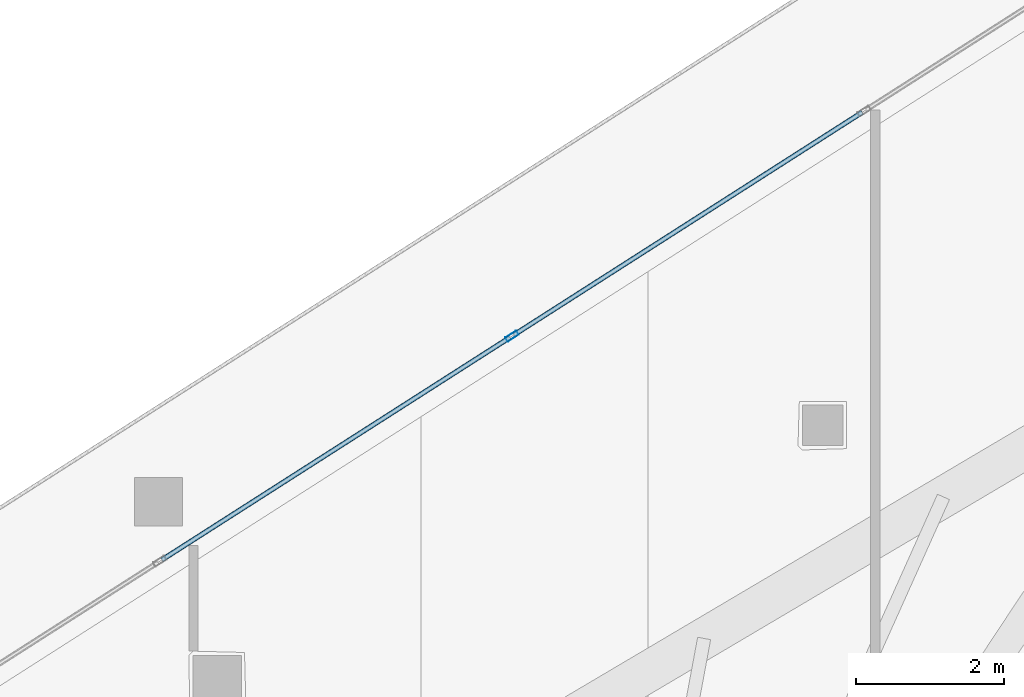
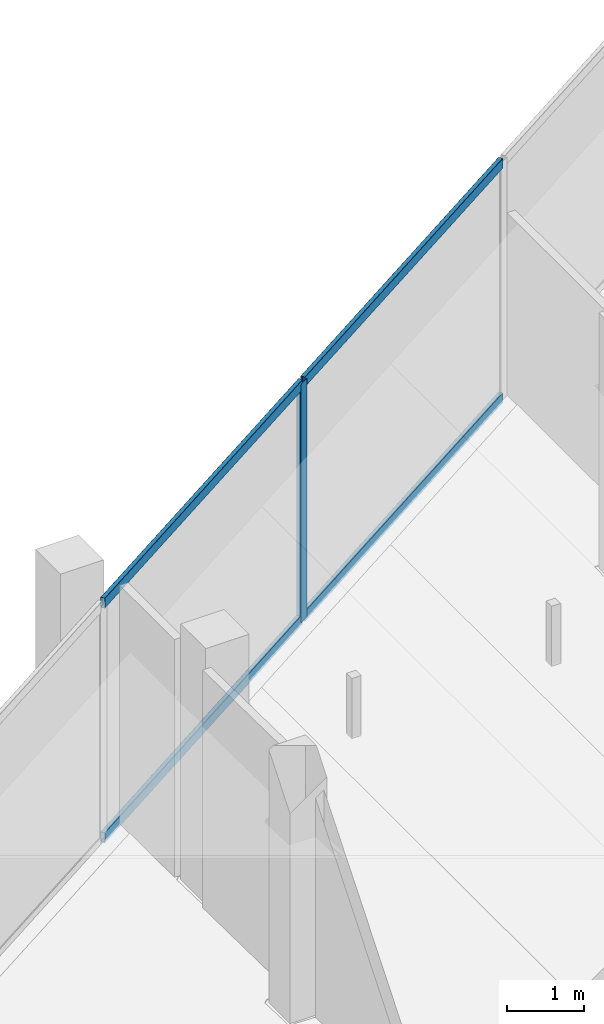
# One storey, part 18 of 36: 5 members, 1 element without a shape of its own.
"""IFC4 building model written with IfcOpenShell, lengths in metres."""

from ifc_helpers import new_model, si_unit, direction, frame, origin, origin_2d, place, context, subcontext, project, spatial, hollow_rectangle, extrude, material, layer, layer_set, material_profile, profile_set, type_object, element, aggregate, save


model = new_model("IFC4")

# Units and contexts
model_context = context("Model", 3, precision=1e-05, world=origin(), true_north=direction((0.0, 1.0)))
body_context = subcontext(model_context, "Body", "Model", "MODEL_VIEW")
ifc_project = project(units=[si_unit("LENGTHUNIT", "METRE"), si_unit("AREAUNIT", "SQUARE_METRE"), si_unit("VOLUMEUNIT", "CUBIC_METRE"), si_unit("PLANEANGLEUNIT", "RADIAN"), si_unit("MASSUNIT", "GRAM", prefix="KILO")], contexts=[model_context])

# Site, building, storey
site_placement = place(None, origin())
site = spatial("IfcSite", under=ifc_project, at=site_placement, CompositionType="ELEMENT")
building_placement = place(site_placement, origin())
building = spatial("IfcBuilding", under=site, at=building_placement, Name="Qorvath Tower", CompositionType="ELEMENT")
storey_placement = place(building_placement, frame((0.0, 0.0, 205.050048828125)))
storey = spatial("IfcBuildingStorey", under=building, at=storey_placement, Name="L47", CompositionType="ELEMENT", Elevation=205.050048828125)

# Curtain wall, members
ifc_material_1 = material(Name="Anodised aluminium and triple low-E glass", Category="aluminium")
ifc_layer = layer(ifc_material_1, 0.179931640625)
ifc_layer_set = layer_set([ifc_layer], Name="CW-SYS-3")
curtain_wall_type = type_object("IfcCurtainWallType", Name="CW-SYS-3", PredefinedType="NOTDEFINED", material=ifc_layer_set)
curtain_wall_placement = place(storey_placement, origin())
curtain_wall = element("IfcCurtainWall", 1, at=curtain_wall_placement, inside=storey, type_object=curtain_wall_type, Name="Curtain Wall CW-3 CW-T-L47-16.1", PredefinedType="NOTDEFINED")
ifc_material_2 = material(Name="Anodised aluminium 6063-T6", Category="aluminium")
ifc_material_profile_1 = material_profile(ifc_material_2, hollow_rectangle(XDim=0.06494140625, YDim=0.179931640625, WallThickness=0.00341796875, InnerFilletRadius=0.00341796875, OuterFilletRadius=0.007080078125, at=origin_2d()), Name="CWM 180x65")
ifc_profile_set_1 = profile_set([ifc_material_profile_1], Name="Anodised aluminium 6063-T6")
member_type_1 = type_object("IfcMemberType", Name="CWM-180", PredefinedType="MULLION", material=ifc_profile_set_1)
member_1_placement = place(storey_placement, frame((-26.247802734375, 21.696044921875, 0.0), z_axis=(0.0, 0.0, 1.0), x_axis=(0.538533623725, -0.842604020948, 0.0)))
member_1 = element("IfcMember", 2, at=member_1_placement, type_object=member_type_1, Name="CW-3 mullion 3", PredefinedType="MULLION", context=body_context, shape_type="SweptSolid", body=[
    extrude(hollow_rectangle(XDim=0.06494140625, YDim=0.179931640625, WallThickness=0.00341796875, InnerFilletRadius=0.00341796875, OuterFilletRadius=0.007080078125, at=origin_2d()), origin(), (0.0, 0.0, 1.0), 3.780029296875),
])
ifc_material_3 = material(Name="Anodised aluminium 6063-T6", Category="aluminium")
ifc_material_profile_2 = material_profile(ifc_material_3, hollow_rectangle(XDim=0.06494140625, YDim=0.159912109375, WallThickness=0.00341796875, InnerFilletRadius=0.00341796875, OuterFilletRadius=0.007080078125, at=origin_2d()), Name="CWT 160x65")
ifc_profile_set_2 = profile_set([ifc_material_profile_2], Name="Anodised aluminium 6063-T6")
member_type_2 = type_object("IfcMemberType", Name="CWT-160", PredefinedType="USERDEFINED", material=ifc_profile_set_2)
member_2_placement = place(storey_placement, frame((-21.522705078125, 24.716064453125, 0.032470703125), z_axis=(-0.842606844645, -0.538529205667, 0.0), x_axis=(0.538529205667, -0.842606844645, 0.0)))
member_2 = element("IfcMember", 3, at=member_2_placement, type_object=member_type_2, Name="CW-3 transom 2.1", ObjectType="TRANSOM", PredefinedType="USERDEFINED", context=body_context, shape_type="SweptSolid", body=[
    extrude(hollow_rectangle(XDim=0.06494140625, YDim=0.159912109375, WallThickness=0.00341796875, InnerFilletRadius=0.00341796875, OuterFilletRadius=0.007080078125, at=origin_2d()), origin(), (0.0, 0.0, 1.0), 5.5751953125),
])
member_3_placement = place(storey_placement, frame((-21.522705078125, 24.716064453125, 3.74755859375), z_axis=(-0.842606844645, -0.538529205667, 0.0), x_axis=(0.538529205667, -0.842606844645, 0.0)))
member_3 = element("IfcMember", 4, at=member_3_placement, type_object=member_type_2, Name="CW-3 transom 2.2", ObjectType="TRANSOM", PredefinedType="USERDEFINED", context=body_context, shape_type="SweptSolid", body=[
    extrude(hollow_rectangle(XDim=0.06494140625, YDim=0.159912109375, WallThickness=0.00341796875, InnerFilletRadius=0.00341796875, OuterFilletRadius=0.007080078125, at=origin_2d()), origin(), (0.0, 0.0, 1.0), 5.5751953125),
])
member_4_placement = place(storey_placement, frame((-26.275146484375, 21.6787109375, 0.032470703125), z_axis=(-0.842606844645, -0.538529205667, 0.0), x_axis=(0.538529205667, -0.842606844645, 0.0)))
member_4 = element("IfcMember", 5, at=member_4_placement, type_object=member_type_2, Name="CW-3 transom 3.1", ObjectType="TRANSOM", PredefinedType="USERDEFINED", context=body_context, shape_type="SweptSolid", body=[
    extrude(hollow_rectangle(XDim=0.06494140625, YDim=0.159912109375, WallThickness=0.00341796875, InnerFilletRadius=0.00341796875, OuterFilletRadius=0.007080078125, at=origin_2d()), origin(), (0.0, 0.0, 1.0), 5.5751953125),
])
member_5_placement = place(storey_placement, frame((-26.275146484375, 21.6787109375, 3.74755859375), z_axis=(-0.842606844645, -0.538529205667, 0.0), x_axis=(0.538529205667, -0.842606844645, 0.0)))
member_5 = element("IfcMember", 6, at=member_5_placement, type_object=member_type_2, Name="CW-3 transom 3.2", ObjectType="TRANSOM", PredefinedType="USERDEFINED", context=body_context, shape_type="SweptSolid", body=[
    extrude(hollow_rectangle(XDim=0.06494140625, YDim=0.159912109375, WallThickness=0.00341796875, InnerFilletRadius=0.00341796875, OuterFilletRadius=0.007080078125, at=origin_2d()), origin(), (0.0, 0.0, 1.0), 5.5751953125),
])
aggregate(curtain_wall, [member_1, member_2, member_3, member_4, member_5])

save(model, "model.ifc")
